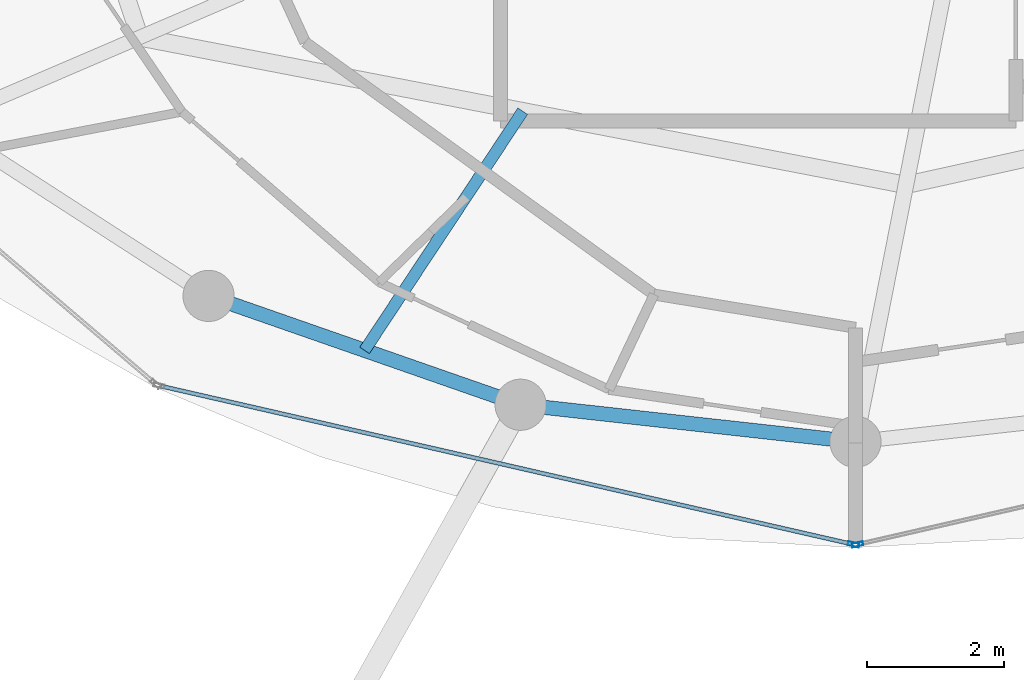
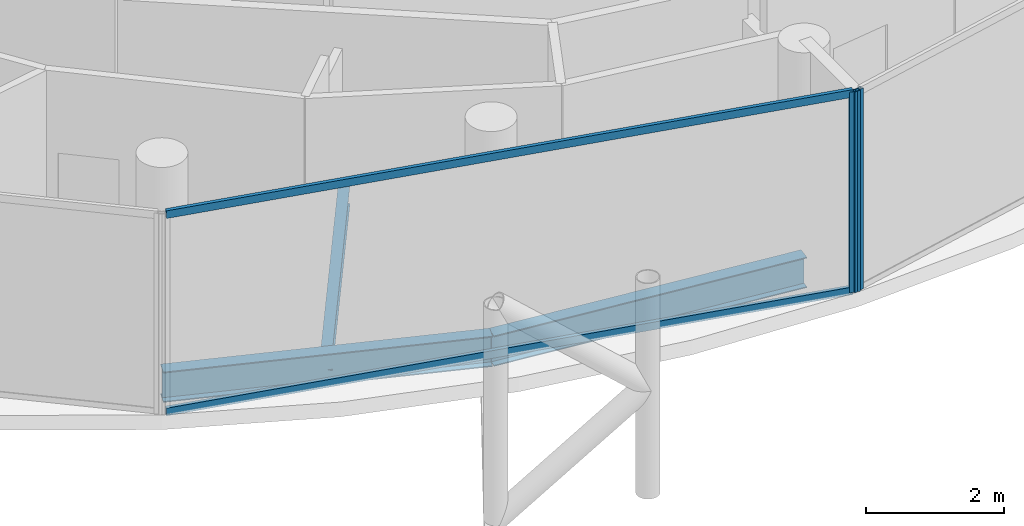
# One storey, part 4 of 24: 4 members, 3 beams, 2 elements without a shape of their own.
"""IFC4 building model written with IfcOpenShell, lengths in metres."""

import ifcopenshell
import ifcopenshell.guid

model = None  # the IFC model being written
_history = None  # IfcOwnerHistory: only IFC2X3 demands one
_inside = {}  # id of a spatial element -> (the spatial element, [elements in it])
_under = {}  # id of a project, library or spatial element -> (it, [spatial elements below it])
_declared = {}  # id of a project -> (the project, [libraries it declares])
_typed = {}  # id of a type object -> (the type object, [elements of that type])
_made_of = {}  # id of a material, layer set ... -> (it, [elements and type objects made of it])


def new_model(schema):
    """Start an empty IFC model of exactly this schema.

    Asked for "IFC4X3", IfcOpenShell would pick the latest addendum, in which some entities
    have other attributes; the version numbers below select the first issue.
    IFC2X3 requires an IfcOwnerHistory on every rooted entity: one is made here for all.
    """
    global model, _history
    if schema == "IFC4X3":
        model = ifcopenshell.file(schema_version=(4, 3, 0, 0))
    else:
        model = ifcopenshell.file(schema=schema)
    _inside.clear()
    _under.clear()
    _declared.clear()
    _typed.clear()
    _made_of.clear()
    _history = None
    if model.schema == "IFC2X3":
        org = make("IfcOrganization", Name="unknown")
        user = make(
            "IfcPersonAndOrganization",
            ThePerson=make("IfcPerson", FamilyName="unknown"),
            TheOrganization=org,
        )
        app = make(
            "IfcApplication",
            ApplicationDeveloper=org,
            Version="unknown",
            ApplicationFullName="unknown",
            ApplicationIdentifier="unknown",
        )
        _history = make(
            "IfcOwnerHistory",
            OwningUser=user,
            OwningApplication=app,
            ChangeAction="ADDED",
            CreationDate=0,
        )
    return model


def make(cls, **values):
    """One entity of the class cls with the attributes given. An attribute that is None is left unset."""
    return model.create_entity(
        cls, **{name: value for name, value in values.items() if value is not None}
    )


def rooted(cls, **values):
    """An entity with a GlobalId (a new one), such as an element, a storey or a relation."""
    return make(cls, GlobalId=ifcopenshell.guid.new(), OwnerHistory=_history, **values)


def si_unit(unit_type, name, prefix=None):
    """IfcSIUnit, for example si_unit("LENGTHUNIT", "METRE", prefix="MILLI")."""
    return make("IfcSIUnit", UnitType=unit_type, Prefix=prefix, Name=name)


def assignment(units):
    """IfcUnitAssignment: the units of a project."""
    return None if units is None else make("IfcUnitAssignment", Units=units)


def point(xyz):
    """IfcCartesianPoint."""
    return None if xyz is None else make("IfcCartesianPoint", Coordinates=xyz)


def direction(xyz):
    """IfcDirection."""
    return None if xyz is None else make("IfcDirection", DirectionRatios=xyz)


def frame(location, z_axis=None, x_axis=None):
    """IfcAxis2Placement3D, a coordinate frame: its origin and axes. An axis left out is left unset."""
    return make(
        "IfcAxis2Placement3D",
        Location=point(location),
        Axis=direction(z_axis),
        RefDirection=direction(x_axis),
    )


def frame_2d(location, x_axis=None):
    """IfcAxis2Placement2D, a coordinate frame in the plane: its origin and x axis."""
    return make(
        "IfcAxis2Placement2D", Location=point(location), RefDirection=direction(x_axis)
    )


def origin():
    """The frame at (0, 0, 0) with its axes left unset."""
    return frame((0.0, 0.0, 0.0))


def origin_2d():
    """The frame at (0, 0) in the plane with its x axis left unset."""
    return frame_2d((0.0, 0.0))


def place(relative_to, where):
    """IfcLocalPlacement: puts the frame where relative to a parent placement (None: the world)."""
    return make(
        "IfcLocalPlacement", PlacementRelTo=relative_to, RelativePlacement=where
    )


def context(
    kind, dimensions, precision=None, world=None, true_north=None, identifier=None
):
    """IfcGeometricRepresentationContext, for example the 3D "Model" context."""
    return make(
        "IfcGeometricRepresentationContext",
        ContextIdentifier=identifier,
        ContextType=kind,
        CoordinateSpaceDimension=dimensions,
        Precision=precision,
        WorldCoordinateSystem=world,
        TrueNorth=true_north,
    )


def subcontext(parent, identifier, kind, view, scale=None):
    """IfcGeometricRepresentationSubContext, for example "Body" below "Model"."""
    return make(
        "IfcGeometricRepresentationSubContext",
        ContextIdentifier=identifier,
        ContextType=kind,
        ParentContext=parent,
        TargetScale=scale,
        TargetView=view,
    )


def project(units=None, contexts=None):
    """IfcProject with its units and contexts."""
    return rooted(
        "IfcProject",
        Name="project",
        RepresentationContexts=contexts,
        UnitsInContext=assignment(units),
    )


def spatial(cls, under=None, at=None, **own):
    """A site, building, storey or space (cls), placed at a placement, below another one or the project."""
    s = rooted(cls, ObjectPlacement=at, **own)
    if under is not None:
        _under.setdefault(under.id(), (under, []))[1].append(s)
    return s


def profile(cls, at=None, kind="AREA", **sizes):
    """A parametric profile (cls). Its sizes go by their IFC names, for example OverallWidth=200.0."""
    return make(cls, ProfileType=kind, Position=at, **sizes)


def hollow_rectangle(**sizes):
    """IfcRectangleHollowProfileDef."""
    return profile("IfcRectangleHollowProfileDef", **sizes)


def i_section(**sizes):
    """IfcIShapeProfileDef."""
    return profile("IfcIShapeProfileDef", **sizes)


def extrude(swept, where, along, depth):
    """IfcExtrudedAreaSolid: the profile swept, set in the frame where, extruded along a direction by depth."""
    return make(
        "IfcExtrudedAreaSolid",
        SweptArea=swept,
        Position=where,
        ExtrudedDirection=direction(along),
        Depth=depth,
    )


def shape(context_of_items, identifier, shape_type, items):
    """IfcShapeRepresentation: the items that make up one representation, for example the "Body"."""
    return make(
        "IfcShapeRepresentation",
        ContextOfItems=context_of_items,
        RepresentationIdentifier=identifier,
        RepresentationType=shape_type,
        Items=items,
    )


def material(Name=None, Category=None):
    """IfcMaterial."""
    return make("IfcMaterial", Name=Name, Category=Category)


def layer(
    of_material, thickness, ventilated=None, Name=None, Category=None, Priority=None
):
    """IfcMaterialLayer: one layer of a wall or slab, of a material (None: an air gap)."""
    return make(
        "IfcMaterialLayer",
        Material=of_material,
        LayerThickness=thickness,
        IsVentilated=ventilated,
        Name=Name,
        Category=Category,
        Priority=Priority,
    )


def layer_set(layers, Name=None):
    """IfcMaterialLayerSet."""
    return make("IfcMaterialLayerSet", MaterialLayers=layers, LayerSetName=Name)


def material_profile(
    of_material, cross_section, Name=None, Category=None, Priority=None
):
    """IfcMaterialProfile: a cross section and its material."""
    return make(
        "IfcMaterialProfile",
        Name=Name,
        Material=of_material,
        Profile=cross_section,
        Priority=Priority,
        Category=Category,
    )


def profile_set(profiles, Name=None, composite=None):
    """IfcMaterialProfileSet."""
    return make(
        "IfcMaterialProfileSet",
        Name=Name,
        MaterialProfiles=profiles,
        CompositeProfile=composite,
    )


def made_of(thing, what):
    """Note that an element or type object is made of a material, layer set ...; save() writes the relation."""
    if what is not None:
        _made_of.setdefault(what.id(), (what, []))[1].append(thing)
    return thing


def type_object(cls, material=None, **own):
    """A type object (cls), such as IfcWallType, which elements share."""
    return made_of(rooted(cls, **own), material)


def element(
    cls,
    number,
    at=None,
    inside=None,
    cuts=None,
    type_object=None,
    material=None,
    context=None,
    identifier="Body",
    shape_type=None,
    held_by="IfcProductDefinitionShape",
    body=None,
    shapes=None,
    **own,
):
    """One element of the class cls, such as IfcWall. Its Tag is "e" and its number.

    at: its placement. inside: the storey or other place that contains it. cuts: it is an
    opening in that element (IfcRelVoidsElement). A single representation is given by context,
    identifier, shape_type and body (its items); several are given by shapes. held_by: the class
    of the entity that holds the representations. save() writes the other relations.
    """
    e = rooted(cls, Tag="e%d" % number, ObjectPlacement=at, **own)
    if body is not None:
        shapes = [shape(context, identifier, shape_type, body)]
    if shapes is not None:
        e.Representation = make(held_by, Representations=shapes)
    if inside is not None:
        _inside.setdefault(inside.id(), (inside, []))[1].append(e)
    if cuts is not None:
        rooted(
            "IfcRelVoidsElement", RelatingBuildingElement=cuts, RelatedOpeningElement=e
        )
    if type_object is not None:
        _typed.setdefault(type_object.id(), (type_object, []))[1].append(e)
    return made_of(e, material)


def aggregate(whole, parts):
    """IfcRelAggregates: a whole, such as a stair, and the parts it consists of."""
    return rooted("IfcRelAggregates", RelatingObject=whole, RelatedObjects=parts)


def save(model, path):
    """Write the relations noted so far, then the file.

    IfcRelAggregates (storeys below a building ...), IfcRelContainedInSpatialStructure (elements
    in a storey), IfcRelDefinesByType, IfcRelAssociatesMaterial and IfcRelDeclares: one each for
    every whole, place, type object, material and project.
    """
    for whole, parts in _under.values():
        aggregate(whole, parts)
    for where, things in _inside.values():
        rooted(
            "IfcRelContainedInSpatialStructure",
            RelatedElements=things,
            RelatingStructure=where,
        )
    for kind, things in _typed.values():
        rooted("IfcRelDefinesByType", RelatedObjects=things, RelatingType=kind)
    for what, things in _made_of.values():
        rooted("IfcRelAssociatesMaterial", RelatedObjects=things, RelatingMaterial=what)
    for by, libraries in _declared.values():
        rooted("IfcRelDeclares", RelatingContext=by, RelatedDefinitions=libraries)
    model.write(path)


model = new_model("IFC4")

# Units and contexts
model_context = context("Model", 3, precision=1e-05, world=origin(), true_north=direction((0.0, 1.0)))
body_context = subcontext(model_context, "Body", "Model", "MODEL_VIEW")
ifc_project = project(units=[si_unit("LENGTHUNIT", "METRE"), si_unit("AREAUNIT", "SQUARE_METRE"), si_unit("VOLUMEUNIT", "CUBIC_METRE"), si_unit("PLANEANGLEUNIT", "RADIAN"), si_unit("MASSUNIT", "GRAM", prefix="KILO")], contexts=[model_context])

# Site, building, storey
site_placement = place(None, origin())
site = spatial("IfcSite", under=ifc_project, at=site_placement, CompositionType="ELEMENT")
building_placement = place(site_placement, origin())
building = spatial("IfcBuilding", under=site, at=building_placement, Name="Nuhasar Tower", CompositionType="ELEMENT")
storey_placement = place(building_placement, frame((0.0, 0.0, 289.800048828125)))
storey = spatial("IfcBuildingStorey", under=building, at=storey_placement, Name="L72", CompositionType="ELEMENT", Elevation=289.800048828125)

# Beams
ifc_material_1 = material(Name="Steel S355", Category="steel")
ifc_material_profile_1 = material_profile(ifc_material_1, i_section(OverallWidth=0.1708984375, OverallDepth=0.35205078125, WebThickness=0.0068359375, FlangeThickness=0.009765625, at=origin_2d()), Name="W14X30")
ifc_profile_set_1 = profile_set([ifc_material_profile_1], Name="Steel S355")
beam_type_1 = type_object("IfcBeamType", Name="BM-JST-W14X30", PredefinedType="JOIST", material=ifc_profile_set_1)
beam_1_placement = place(storey_placement, frame((34.126953125, 15.693115234375, -0.43603515625), z_axis=(-0.551638003526, -0.834083636733, 0.0), x_axis=(0.834083636733, -0.551638003526, 0.0)))
element("IfcBeam", 1, at=beam_1_placement, inside=storey, type_object=beam_type_1, Name="L72 Secondary Floor Joist 01", PredefinedType="JOIST", context=body_context, shape_type="SweptSolid", body=[
    extrude(i_section(OverallWidth=0.1708984375, OverallDepth=0.35205078125, WebThickness=0.0068359375, FlangeThickness=0.009765625, at=origin_2d()), origin(), (0.0, 0.0, 1.0), 4.199951171875),
])
ifc_material_profile_2 = material_profile(ifc_material_1, i_section(OverallWidth=0.2099609375, OverallDepth=0.537109375, WebThickness=0.010986328125, FlangeThickness=0.017333984375, at=origin_2d()), Name="W21X68")
ifc_profile_set_2 = profile_set([ifc_material_profile_2], Name="Steel S355")
beam_type_2 = type_object("IfcBeamType", Name="BM-RING-W21X68", PredefinedType="SPANDREL", material=ifc_profile_set_2)
beam_2_placement = place(storey_placement, frame((29.52490234375, 12.987060546875, -0.528076171875), z_axis=(0.944214043504, -0.329332415729, 0.0), x_axis=(0.329332415729, 0.944214043504, 0.0)))
element("IfcBeam", 2, at=beam_2_placement, inside=storey, type_object=beam_type_2, Name="L72 Perimeter Ring Spandrel 17", PredefinedType="SPANDREL", context=body_context, shape_type="SweptSolid", body=[
    extrude(i_section(OverallWidth=0.2099609375, OverallDepth=0.537109375, WebThickness=0.010986328125, FlangeThickness=0.017333984375, at=origin_2d()), origin(), (0.0, 0.0, 1.0), 4.840087890625),
])
beam_3_placement = place(storey_placement, frame((34.094970703125, 11.39306640625, -0.528076171875), z_axis=(0.99392889943, -0.110024283128, 0.0), x_axis=(0.110024283128, 0.99392889943, 0.0)))
element("IfcBeam", 3, at=beam_3_placement, inside=storey, type_object=beam_type_2, Name="L72 Perimeter Ring Spandrel 18", PredefinedType="SPANDREL", context=body_context, shape_type="SweptSolid", body=[
    extrude(i_section(OverallWidth=0.2099609375, OverallDepth=0.537109375, WebThickness=0.010986328125, FlangeThickness=0.017333984375, at=origin_2d()), origin(), (0.0, 0.0, 1.0), 4.93505859375),
])

# Curtain wall, member
ifc_material_2 = material(Name="Aluminium 6063-T6", Category="aluminium")
ifc_layer = layer(ifc_material_2, 0.18994140625)
ifc_layer_set = layer_set([ifc_layer], Name="Aluminium 6063-T6")
curtain_wall_type = type_object("IfcCurtainWallType", Name="CW-Z4-PEN", PredefinedType="NOTDEFINED", material=ifc_layer_set)
curtain_wall_1_placement = place(storey_placement, origin())
curtain_wall_1 = element("IfcCurtainWall", 4, at=curtain_wall_1_placement, inside=storey, type_object=curtain_wall_type, Name="L72 Unitised Curtain Wall 09", PredefinedType="NOTDEFINED")
ifc_material_profile_3 = material_profile(ifc_material_2, hollow_rectangle(XDim=0.06005859375, YDim=0.1650390625, WallThickness=0.0048828125, at=origin_2d()), Name="CWM-5")
ifc_profile_set_3 = profile_set([ifc_material_profile_3], Name="Aluminium 6063-T6")
member_type_1 = type_object("IfcMemberType", Name="CW-MUL-S5", PredefinedType="MULLION", material=ifc_profile_set_3)
member_1_placement = place(storey_placement, frame((38.970703125, 9.3466796875, 0.0), z_axis=(0.0, 0.0, 1.0), x_axis=(0.222889487645, 0.97484371891, 0.0)))
member_1 = element("IfcMember", 5, at=member_1_placement, type_object=member_type_1, Name="CW-Z4 mullion 2", PredefinedType="MULLION", context=body_context, shape_type="SweptSolid", body=[
    extrude(hollow_rectangle(XDim=0.06005859375, YDim=0.1650390625, WallThickness=0.0048828125, at=origin_2d()), origin(), (0.0, 0.0, 1.0), 3.5400390625),
])

curtain_wall_2_placement = place(storey_placement, origin())
curtain_wall_2 = element("IfcCurtainWall", 6, at=curtain_wall_2_placement, inside=storey, type_object=curtain_wall_type, Name="L72 Unitised Curtain Wall 10", PredefinedType="NOTDEFINED")
member_2_placement = place(storey_placement, frame((39.029296875, 9.3466796875, 0.0), z_axis=(0.0, 0.0, 1.0), x_axis=(-0.222889487645, 0.97484371891, 0.0)))
member_2 = element("IfcMember", 7, at=member_2_placement, type_object=member_type_1, Name="CW-Z4 mullion 1", PredefinedType="MULLION", context=body_context, shape_type="SweptSolid", body=[
    extrude(hollow_rectangle(XDim=0.06005859375, YDim=0.1650390625, WallThickness=0.0048828125, at=origin_2d()), origin(), (0.0, 0.0, 1.0), 3.5400390625),
])
aggregate(curtain_wall_2, [member_2])

# Member
ifc_material_profile_4 = material_profile(ifc_material_2, hollow_rectangle(XDim=0.06005859375, YDim=0.135009765625, WallThickness=0.00439453125, at=origin_2d()), Name="CWT-5")
ifc_profile_set_4 = profile_set([ifc_material_profile_4], Name="Aluminium 6063-T6")
member_type_2 = type_object("IfcMemberType", Name="CW-TRN-S5", PredefinedType="USERDEFINED", material=ifc_profile_set_4)
member_3_placement = place(storey_placement, frame((28.828369140625, 11.66552734375, 0.030029296875), z_axis=(0.974843752401, -0.222889341163, 0.0), x_axis=(0.222889341163, 0.974843752401, 0.0)))
member_3 = element("IfcMember", 8, at=member_3_placement, type_object=member_type_2, Name="CW-Z4 transom 1.1", ObjectType="TRANSOM", PredefinedType="USERDEFINED", context=body_context, shape_type="SweptSolid", body=[
    extrude(hollow_rectangle(XDim=0.06005859375, YDim=0.135009765625, WallThickness=0.00439453125, at=origin_2d()), origin(), (0.0, 0.0, 1.0), 10.3740234375),
])

member_4_placement = place(storey_placement, frame((28.828369140625, 11.66552734375, 3.510009765625), z_axis=(0.974843752401, -0.222889341163, 0.0), x_axis=(0.222889341163, 0.974843752401, 0.0)))
member_4 = element("IfcMember", 9, at=member_4_placement, type_object=member_type_2, Name="CW-Z4 transom 1.2", ObjectType="TRANSOM", PredefinedType="USERDEFINED", context=body_context, shape_type="SweptSolid", body=[
    extrude(hollow_rectangle(XDim=0.06005859375, YDim=0.135009765625, WallThickness=0.00439453125, at=origin_2d()), origin(), (0.0, 0.0, 1.0), 10.3740234375),
])

aggregate(curtain_wall_1, [member_1, member_3, member_4])

save(model, "model.ifc")
